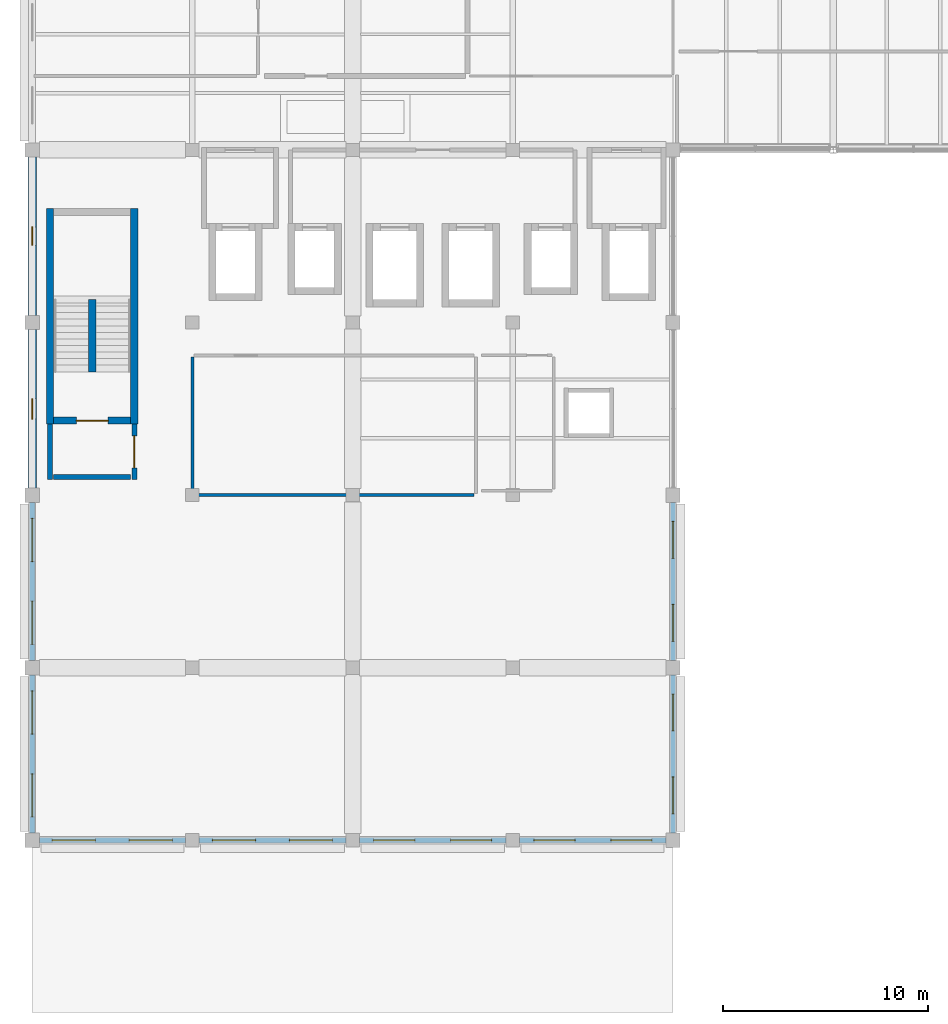
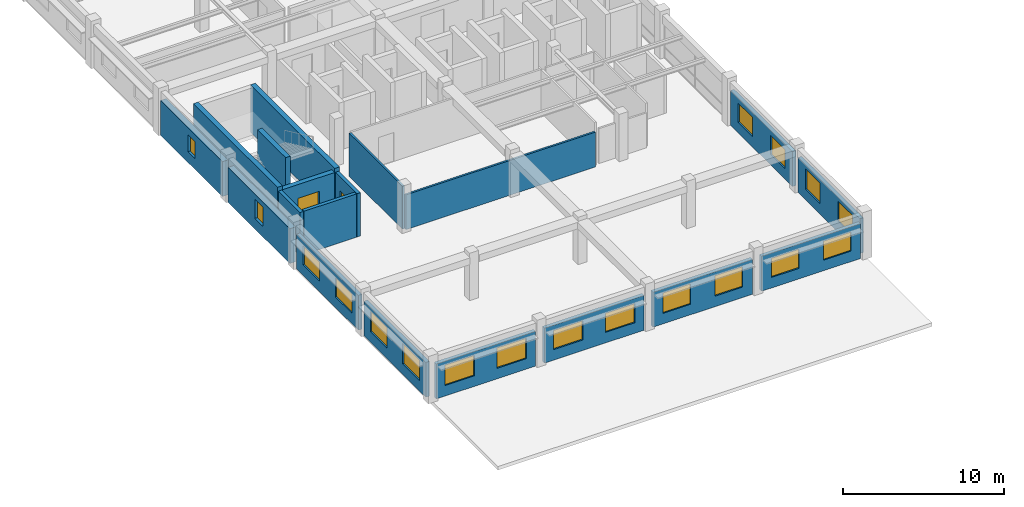
# One storey, part 37 of 49: 19 walls, 18 windows, 2 doors, 20 openings.
"""IFC4 building model written with IfcOpenShell, lengths in metres."""

from ifc_helpers import new_model, si_unit, direction, frame, frame_2d, origin, place, context, subcontext, project, spatial, rectangle, extrude, material, layer, layer_set, type_object, element, fill, save


model = new_model("IFC4")

# Units and contexts
model_context = context("Model", 3, precision=1e-05, world=origin(), true_north=direction((0.0, 1.0)))
body_context = subcontext(model_context, "Body", "Model", "MODEL_VIEW")
ifc_project = project(units=[si_unit("LENGTHUNIT", "METRE"), si_unit("AREAUNIT", "SQUARE_METRE"), si_unit("VOLUMEUNIT", "CUBIC_METRE"), si_unit("PLANEANGLEUNIT", "RADIAN"), si_unit("MASSUNIT", "GRAM", prefix="KILO"), si_unit("THERMODYNAMICTEMPERATUREUNIT", "KELVIN"), si_unit("POWERUNIT", "WATT")], contexts=[model_context])

# Site, building, storey
site_placement = place(None, origin())
site = spatial("IfcSite", under=ifc_project, at=site_placement, CompositionType="ELEMENT")
building_placement = place(site_placement, origin())
building = spatial("IfcBuilding", under=site, at=building_placement, Name="Srebrne Nadtorze General Hospital", CompositionType="ELEMENT")
storey_placement = place(building_placement, frame((0.0, 0.0, 26.10009765625)))
storey = spatial("IfcBuildingStorey", under=building, at=storey_placement, Name="L06", CompositionType="ELEMENT", Elevation=26.10009765625)

# Wall, opening, window
ifc_material_1 = material(Name="Concrete C40/50", Category="concrete")
ifc_layer_1 = layer(ifc_material_1, 0.419921875)
ifc_layer_set_1 = layer_set([ifc_layer_1], Name="Concrete C40/50")
wall_type_1 = type_object("IfcWallType", Name="Acoustic buffer wall 420", PredefinedType="SOLIDWALL", material=ifc_layer_set_1)
wall_1_placement = place(storey_placement, frame((23.39990234375, 33.949951171875, 0.0), z_axis=(0.0, 0.0, 1.0), x_axis=(0.0, 1.0, 0.0)))
wall_1 = element("IfcWall", 1, at=wall_1_placement, inside=storey, type_object=wall_type_1, Name="Exterior wall WL-ENV-L06-0482", PredefinedType="SOLIDWALL", context=body_context, shape_type="SweptSolid", body=[
    extrude(rectangle(XDim=7.699951171875, YDim=0.419921875, at=frame_2d((3.85009765625, 0.0))), origin(), (0.0, 0.0, 1.0), 2.64990234375),
])
opening_1_placement = place(wall_1_placement, frame((3.35009765625, 0.0, 0.800048828125)))
opening_1 = element("IfcOpeningElement", 2, at=opening_1_placement, cuts=wall_1, Name="Opening WN-L06-0799", PredefinedType="OPENING", context=body_context, shape_type="SweptSolid", body=[
    extrude(rectangle(XDim=1.0, YDim=1.449951171875, at=frame_2d((0.5, 0.72509765625))), frame((0.0, 0.221923828125, 0.0), z_axis=(0.0, -1.0, 0.0), x_axis=(1.0, 0.0, 0.0)), (0.0, 0.0, 1.0), 0.44384765625),
])
ifc_material_2 = material(Name="Triple Low-E Glazing", Category="glass")
window_type_1 = type_object("IfcWindowType", Name="Punched clinical window 1000x1450", PartitioningType="SINGLE_PANEL", PredefinedType="WINDOW", material=ifc_material_2)
window_1_placement = place(opening_1_placement, origin())
window_1 = element("IfcWindow", 3, at=window_1_placement, inside=storey, type_object=window_type_1, Name="Clinical window WN-L06-0799", OverallHeight=1.449951171875, OverallWidth=1.0, PartitioningType="SINGLE_PANEL", PredefinedType="WINDOW", context=body_context, shape_type="SweptSolid", body=[
    extrude(rectangle(XDim=1.0, YDim=1.449951171875, at=frame_2d((0.5, 0.72509765625))), frame((0.0, 0.030029296875, 0.0), z_axis=(0.0, -1.0, 0.0), x_axis=(1.0, 0.0, 0.0)), (0.0, 0.0, 1.0), 0.06005859375),
])
fill(opening_1, window_1)

wall_2_placement = place(storey_placement, frame((23.39990234375, 42.35009765625, 0.0), z_axis=(0.0, 0.0, 1.0), x_axis=(0.0, 1.0, 0.0)))
wall_2 = element("IfcWall", 4, at=wall_2_placement, inside=storey, type_object=wall_type_1, Name="Exterior wall WL-ENV-L06-0483", PredefinedType="SOLIDWALL", context=body_context, shape_type="SweptSolid", body=[
    extrude(rectangle(XDim=7.699951171875, YDim=0.419921875, at=frame_2d((3.85009765625, 0.0))), origin(), (0.0, 0.0, 1.0), 2.64990234375),
])
opening_2_placement = place(wall_2_placement, frame((3.39990234375, 0.0, 0.800048828125)))
opening_2 = element("IfcOpeningElement", 5, at=opening_2_placement, cuts=wall_2, Name="Opening WN-L06-0800", PredefinedType="OPENING", context=body_context, shape_type="SweptSolid", body=[
    extrude(rectangle(XDim=0.89990234375, YDim=1.300048828125, at=frame_2d((0.449951171875, 0.64990234375))), frame((0.0, 0.221923828125, 0.0), z_axis=(0.0, -1.0, 0.0), x_axis=(1.0, 0.0, 0.0)), (0.0, 0.0, 1.0), 0.44384765625),
])
ifc_material_3 = material(Name="Triple Low-E Glazing", Category="glass")
window_type_2 = type_object("IfcWindowType", Name="Punched clinical window 900x1300", PartitioningType="SINGLE_PANEL", PredefinedType="WINDOW", material=ifc_material_3)
window_2_placement = place(opening_2_placement, origin())
window_2 = element("IfcWindow", 6, at=window_2_placement, inside=storey, type_object=window_type_2, Name="Clinical window WN-L06-0800", OverallHeight=1.300048828125, OverallWidth=0.89990234375, PartitioningType="SINGLE_PANEL", PredefinedType="WINDOW", context=body_context, shape_type="SweptSolid", body=[
    extrude(rectangle(XDim=0.89990234375, YDim=1.300048828125, at=frame_2d((0.449951171875, 0.64990234375))), frame((0.0, 0.030029296875, 0.0), z_axis=(0.0, -1.0, 0.0), x_axis=(1.0, 0.0, 0.0)), (0.0, 0.0, 1.0), 0.06005859375),
])
fill(opening_2, window_2)

# Walls
ifc_material_4 = material(Name="Gypsum Healthcare Partition")
ifc_layer_2 = layer(ifc_material_4, 0.139892578125)
ifc_layer_set_2 = layer_set([ifc_layer_2], Name="Gypsum Healthcare Partition")
wall_type_2 = type_object("IfcWallType", Name="Clinical partition 140", PredefinedType="PARTITIONING", material=ifc_layer_set_2)
wall_3_placement = place(storey_placement, frame((31.284912109375, 33.60009765625, 0.0), z_axis=(0.0, 0.0, 1.0), x_axis=(1.0, 0.0, 0.0)))
element("IfcWall", 7, at=wall_3_placement, inside=storey, type_object=wall_type_2, Name="Multidisciplinary Clinical Conference Room wall WL-INT-L06-2196", PredefinedType="PARTITIONING", context=body_context, shape_type="SweptSolid", body=[
    extrude(rectangle(XDim=13.630126953125, YDim=0.139892578125, at=frame_2d((6.81494140625, 0.0))), origin(), (0.0, 0.0, 1.0), 2.64990234375),
])
wall_4_placement = place(storey_placement, frame((31.199951171875, 33.68505859375, 0.0), z_axis=(0.0, 0.0, 1.0), x_axis=(0.0, 1.0, 0.0)))
element("IfcWall", 8, at=wall_4_placement, inside=storey, type_object=wall_type_2, Name="Multidisciplinary Clinical Conference Room wall WL-INT-L06-2197", PredefinedType="PARTITIONING", context=body_context, shape_type="SweptSolid", body=[
    extrude(rectangle(XDim=6.6298828125, YDim=0.139892578125, at=frame_2d((3.31494140625, 0.0))), origin(), (0.0, 0.0, 1.0), 3.27978515625),
])
ifc_material_5 = material(Name="Gypsum Healthcare Partition")
ifc_layer_3 = layer(ifc_material_5, 0.239990234375)
ifc_layer_set_3 = layer_set([ifc_layer_3], Name="Gypsum Healthcare Partition")
wall_type_3 = type_object("IfcWallType", Name="Corridor fire wall 240", PredefinedType="STANDARD", material=ifc_layer_set_3)
wall_5_placement = place(storey_placement, frame((24.27490234375, 34.35498046875, 0.0), z_axis=(0.0, 0.0, 1.0), x_axis=(0.0, 1.0, 0.0)))
element("IfcWall", 9, at=wall_5_placement, inside=storey, type_object=wall_type_3, Name="Fire lobby wall ST-01 WL-INT-L06-0381", PredefinedType="STANDARD", context=body_context, shape_type="SweptSolid", body=[
    extrude(rectangle(XDim=2.695068359375, YDim=0.239990234375, at=frame_2d((1.34765625, 0.0))), origin(), (0.0, 0.0, 1.0), 3.2998046875),
])

# Wall, opening, door
wall_6_placement = place(storey_placement, frame((28.375, 34.35498046875, 0.0), z_axis=(0.0, 0.0, 1.0), x_axis=(0.0, 1.0, 0.0)))
wall_6 = element("IfcWall", 10, at=wall_6_placement, inside=storey, type_object=wall_type_3, Name="Fire lobby wall ST-01 WL-INT-L06-0382", PredefinedType="STANDARD", context=body_context, shape_type="SweptSolid", body=[
    extrude(rectangle(XDim=2.695068359375, YDim=0.239990234375, at=frame_2d((1.34765625, 0.0))), origin(), (0.0, 0.0, 1.0), 3.2998046875),
])
opening_3_placement = place(wall_6_placement, frame((0.572509765625, 0.0, 0.0)))
opening_3 = element("IfcOpeningElement", 11, at=opening_3_placement, cuts=wall_6, Name="Opening D-L06-0096", PredefinedType="OPENING", context=body_context, shape_type="SweptSolid", body=[
    extrude(rectangle(XDim=1.550048828125, YDim=2.25, at=frame_2d((0.77490234375, 1.125))), frame((0.0, 0.1318359375, 0.0), z_axis=(0.0, -1.0, 0.0), x_axis=(1.0, 0.0, 0.0)), (0.0, 0.0, 1.0), 0.263916015625),
])
ifc_material_6 = material(Name="Anodised Aluminium", Category="aluminium")
door_type = type_object("IfcDoorType", Name="Double leaf door 1550x2250", OperationType="DOUBLE_DOOR_SINGLE_SWING", PredefinedType="DOOR", material=ifc_material_6)
door_1_placement = place(opening_3_placement, origin())
door_1 = element("IfcDoor", 12, at=door_1_placement, inside=storey, type_object=door_type, Name="Fire lobby door ST-01 D-L06-0096", OperationType="DOUBLE_DOOR_SINGLE_SWING", OverallHeight=2.25, OverallWidth=1.550048828125, PredefinedType="DOOR", context=body_context, shape_type="SweptSolid", body=[
    extrude(rectangle(XDim=1.550048828125, YDim=2.25, at=frame_2d((0.77490234375, 1.125))), frame((0.0, 0.02490234375, 0.0), z_axis=(0.0, -1.0, 0.0), x_axis=(1.0, 0.0, 0.0)), (0.0, 0.0, 1.0), 0.050048828125),
])
fill(opening_3, door_1)

# Walls
wall_7_placement = place(storey_placement, frame((24.449951171875, 34.47509765625, 0.0), z_axis=(0.0, 0.0, 1.0), x_axis=(1.0, 0.0, 0.0)))
element("IfcWall", 13, at=wall_7_placement, inside=storey, type_object=wall_type_3, Name="Fire lobby entry wall ST-01 WL-INT-L06-0383", PredefinedType="STANDARD", context=body_context, shape_type="SweptSolid", body=[
    extrude(rectangle(XDim=3.75, YDim=0.239990234375, at=frame_2d((1.875, 0.0))), origin(), (0.0, 0.0, 1.0), 3.2998046875),
])
ifc_material_7 = material(Name="Concrete C40/50", Category="concrete")
ifc_layer_4 = layer(ifc_material_7, 0.35009765625)
ifc_layer_set_4 = layer_set([ifc_layer_4], Name="Concrete C40/50")
wall_type_4 = type_object("IfcWallType", Name="Shear core wall 350", PredefinedType="SHEAR", material=ifc_layer_set_4)
for number, where, z_axis, x_axis, name in (
    (14, (24.27490234375, 37.050048828125, 0.0), (0.0, 0.0, 1.0), (0.0, 1.0, 0.0), "Stair core wall ST-01 WL-INT-L06-0377"),
    (15, (28.375, 37.050048828125, 0.0), (0.0, 0.0, 1.0), (0.0, 1.0, 0.0), "Stair core wall ST-01 WL-INT-L06-0378"),
):
    element("IfcWall", number, at=place(storey_placement, frame(where, z_axis=z_axis, x_axis=x_axis)), inside=storey, type_object=wall_type_4, Name=name, PredefinedType="SHEAR", context=body_context, shape_type="SweptSolid", body=[
        extrude(rectangle(XDim=10.5, YDim=0.35009765625, at=frame_2d((5.25, 0.0))), origin(), (0.0, 0.0, 1.0), 3.599853515625),
    ])

# Wall, opening, door
wall_8_placement = place(storey_placement, frame((24.449951171875, 37.22509765625, 0.0), z_axis=(0.0, 0.0, 1.0), x_axis=(1.0, 0.0, 0.0)))
wall_8 = element("IfcWall", 16, at=wall_8_placement, inside=storey, type_object=wall_type_4, Name="Stairwell fire wall ST-01 WL-INT-L06-0380", PredefinedType="SHEAR", context=body_context, shape_type="SweptSolid", body=[
    extrude(rectangle(XDim=3.75, YDim=0.35009765625, at=frame_2d((1.875, 0.0))), origin(), (0.0, 0.0, 1.0), 3.2998046875),
])
opening_4_placement = place(wall_8_placement, frame((1.10009765625, 0.0, 0.0)))
opening_4 = element("IfcOpeningElement", 17, at=opening_4_placement, cuts=wall_8, Name="Opening D-L06-0095", PredefinedType="OPENING", context=body_context, shape_type="SweptSolid", body=[
    extrude(rectangle(XDim=1.550048828125, YDim=2.25, at=frame_2d((0.77490234375, 1.125))), frame((0.0, 0.18701171875, 0.0), z_axis=(0.0, -1.0, 0.0), x_axis=(1.0, 0.0, 0.0)), (0.0, 0.0, 1.0), 0.3740234375),
])
door_2_placement = place(opening_4_placement, origin())
door_2 = element("IfcDoor", 18, at=door_2_placement, inside=storey, type_object=door_type, Name="Protected stair door ST-01 D-L06-0095", OperationType="DOUBLE_DOOR_SINGLE_SWING", OverallHeight=2.25, OverallWidth=1.550048828125, PredefinedType="DOOR", context=body_context, shape_type="SweptSolid", body=[
    extrude(rectangle(XDim=1.550048828125, YDim=2.25, at=frame_2d((0.77490234375, 1.125))), frame((0.0, 0.02490234375, 0.0), z_axis=(0.0, -1.0, 0.0), x_axis=(1.0, 0.0, 0.0)), (0.0, 0.0, 1.0), 0.050048828125),
])
fill(opening_4, door_2)

# Wall
wall_9_placement = place(storey_placement, frame((26.324951171875, 39.60009765625, 0.0), z_axis=(0.0, 0.0, 1.0), x_axis=(0.0, 1.0, 0.0)))
element("IfcWall", 19, at=wall_9_placement, inside=storey, type_object=wall_type_4, Name="Stair spine wall ST-01 WL-INT-L06-0384", PredefinedType="SHEAR", context=body_context, shape_type="SweptSolid", body=[
    extrude(rectangle(XDim=3.52001953125, YDim=0.35009765625, at=frame_2d((1.760009765625, 0.0))), origin(), (0.0, 0.0, 1.0), 3.599853515625),
])

# Wall, openings, windows
ifc_material_8 = material(Name="Concrete C35/45 precast", Category="concrete")
ifc_layer_5 = layer(ifc_material_8, 0.260009765625)
ifc_layer_set_5 = layer_set([ifc_layer_5], Name="Concrete C35/45 precast")
wall_type_5 = type_object("IfcWallType", Name="Spandrel wall 260", PredefinedType="STANDARD", material=ifc_layer_set_5)
wall_10_placement = place(storey_placement, frame((23.75, 16.800048828125, 0.0), z_axis=(0.0, 0.0, 1.0), x_axis=(1.0, 0.0, 0.0)))
wall_10 = element("IfcWall", 20, at=wall_10_placement, inside=storey, type_object=wall_type_5, Name="Exterior wall WL-ENV-L06-0460", PredefinedType="STANDARD", context=body_context, shape_type="SweptSolid", body=[
    extrude(rectangle(XDim=7.125, YDim=0.260009765625, at=frame_2d((3.5625, 0.0))), origin(), (0.0, 0.0, 1.0), 2.64990234375),
])
opening_5_placement = place(wall_10_placement, frame((0.6279296875, 0.0, 0.800048828125)))
opening_5 = element("IfcOpeningElement", 21, at=opening_5_placement, cuts=wall_10, Name="Opening WN-L06-0753", PredefinedType="OPENING", context=body_context, shape_type="SweptSolid", body=[
    extrude(rectangle(XDim=2.10009765625, YDim=1.550048828125, at=frame_2d((1.050048828125, 0.77490234375))), frame((0.0, 0.14208984375, 0.0), z_axis=(0.0, -1.0, 0.0), x_axis=(1.0, 0.0, 0.0)), (0.0, 0.0, 1.0), 0.283935546875),
])
opening_6_placement = place(wall_10_placement, frame((4.3720703125, 0.0, 0.800048828125)))
opening_6 = element("IfcOpeningElement", 22, at=opening_6_placement, cuts=wall_10, Name="Opening WN-L06-0754", PredefinedType="OPENING", context=body_context, shape_type="SweptSolid", body=[
    extrude(rectangle(XDim=2.10009765625, YDim=1.550048828125, at=frame_2d((1.050048828125, 0.77490234375))), frame((0.0, 0.14208984375, 0.0), z_axis=(0.0, -1.0, 0.0), x_axis=(1.0, 0.0, 0.0)), (0.0, 0.0, 1.0), 0.283935546875),
])
ifc_material_9 = material(Name="Triple Low-E Glazing", Category="glass")
window_type_3 = type_object("IfcWindowType", Name="Punched clinical window 2100x1550", PartitioningType="DOUBLE_PANEL_VERTICAL", PredefinedType="WINDOW", material=ifc_material_9)
window_3_placement = place(opening_5_placement, origin())
window_3 = element("IfcWindow", 23, at=window_3_placement, inside=storey, type_object=window_type_3, Name="Clinical window WN-L06-0753", OverallHeight=1.550048828125, OverallWidth=2.10009765625, PartitioningType="DOUBLE_PANEL_VERTICAL", PredefinedType="WINDOW", context=body_context, shape_type="SweptSolid", body=[
    extrude(rectangle(XDim=2.10009765625, YDim=1.550048828125, at=frame_2d((1.050048828125, 0.77490234375))), frame((0.0, 0.030029296875, 0.0), z_axis=(0.0, -1.0, 0.0), x_axis=(1.0, 0.0, 0.0)), (0.0, 0.0, 1.0), 0.06005859375),
])
fill(opening_5, window_3)
window_4_placement = place(opening_6_placement, origin())
window_4 = element("IfcWindow", 24, at=window_4_placement, inside=storey, type_object=window_type_3, Name="Clinical window WN-L06-0754", OverallHeight=1.550048828125, OverallWidth=2.10009765625, PartitioningType="DOUBLE_PANEL_VERTICAL", PredefinedType="WINDOW", context=body_context, shape_type="SweptSolid", body=[
    extrude(rectangle(XDim=2.10009765625, YDim=1.550048828125, at=frame_2d((1.050048828125, 0.77490234375))), frame((0.0, 0.030029296875, 0.0), z_axis=(0.0, -1.0, 0.0), x_axis=(1.0, 0.0, 0.0)), (0.0, 0.0, 1.0), 0.06005859375),
])
fill(opening_6, window_4)

wall_11_placement = place(storey_placement, frame((31.52490234375, 16.800048828125, 0.0), z_axis=(0.0, 0.0, 1.0), x_axis=(1.0, 0.0, 0.0)))
wall_11 = element("IfcWall", 25, at=wall_11_placement, inside=storey, type_object=wall_type_5, Name="Exterior wall WL-ENV-L06-0461", PredefinedType="STANDARD", context=body_context, shape_type="SweptSolid", body=[
    extrude(rectangle(XDim=7.150146484375, YDim=0.260009765625, at=frame_2d((3.5751953125, 0.0))), origin(), (0.0, 0.0, 1.0), 2.64990234375),
])
opening_7_placement = place(wall_11_placement, frame((0.653076171875, 0.0, 0.800048828125)))
opening_7 = element("IfcOpeningElement", 26, at=opening_7_placement, cuts=wall_11, Name="Opening WN-L06-0755", PredefinedType="OPENING", context=body_context, shape_type="SweptSolid", body=[
    extrude(rectangle(XDim=2.10009765625, YDim=1.449951171875, at=frame_2d((1.050048828125, 0.72509765625))), frame((0.0, 0.14208984375, 0.0), z_axis=(0.0, -1.0, 0.0), x_axis=(1.0, 0.0, 0.0)), (0.0, 0.0, 1.0), 0.283935546875),
])
opening_8_placement = place(wall_11_placement, frame((4.39697265625, 0.0, 0.800048828125)))
opening_8 = element("IfcOpeningElement", 27, at=opening_8_placement, cuts=wall_11, Name="Opening WN-L06-0756", PredefinedType="OPENING", context=body_context, shape_type="SweptSolid", body=[
    extrude(rectangle(XDim=2.10009765625, YDim=1.449951171875, at=frame_2d((1.050048828125, 0.72509765625))), frame((0.0, 0.14208984375, 0.0), z_axis=(0.0, -1.0, 0.0), x_axis=(1.0, 0.0, 0.0)), (0.0, 0.0, 1.0), 0.283935546875),
])
ifc_material_10 = material(Name="Triple Low-E Glazing", Category="glass")
window_type_4 = type_object("IfcWindowType", Name="Punched clinical window 2100x1450", PartitioningType="DOUBLE_PANEL_VERTICAL", PredefinedType="WINDOW", material=ifc_material_10)
window_5_placement = place(opening_7_placement, origin())
window_5 = element("IfcWindow", 28, at=window_5_placement, inside=storey, type_object=window_type_4, Name="Clinical window WN-L06-0755", OverallHeight=1.449951171875, OverallWidth=2.10009765625, PartitioningType="DOUBLE_PANEL_VERTICAL", PredefinedType="WINDOW", context=body_context, shape_type="SweptSolid", body=[
    extrude(rectangle(XDim=2.10009765625, YDim=1.449951171875, at=frame_2d((1.050048828125, 0.72509765625))), frame((0.0, 0.030029296875, 0.0), z_axis=(0.0, -1.0, 0.0), x_axis=(1.0, 0.0, 0.0)), (0.0, 0.0, 1.0), 0.06005859375),
])
fill(opening_7, window_5)
window_6_placement = place(opening_8_placement, origin())
window_6 = element("IfcWindow", 29, at=window_6_placement, inside=storey, type_object=window_type_4, Name="Clinical window WN-L06-0756", OverallHeight=1.449951171875, OverallWidth=2.10009765625, PartitioningType="DOUBLE_PANEL_VERTICAL", PredefinedType="WINDOW", context=body_context, shape_type="SweptSolid", body=[
    extrude(rectangle(XDim=2.10009765625, YDim=1.449951171875, at=frame_2d((1.050048828125, 0.72509765625))), frame((0.0, 0.030029296875, 0.0), z_axis=(0.0, -1.0, 0.0), x_axis=(1.0, 0.0, 0.0)), (0.0, 0.0, 1.0), 0.06005859375),
])
fill(opening_8, window_6)

wall_12_placement = place(storey_placement, frame((39.324951171875, 16.800048828125, 0.0), z_axis=(0.0, 0.0, 1.0), x_axis=(1.0, 0.0, 0.0)))
wall_12 = element("IfcWall", 30, at=wall_12_placement, inside=storey, type_object=wall_type_5, Name="Exterior wall WL-ENV-L06-0462", PredefinedType="STANDARD", context=body_context, shape_type="SweptSolid", body=[
    extrude(rectangle(XDim=7.150146484375, YDim=0.260009765625, at=frame_2d((3.5751953125, 0.0))), origin(), (0.0, 0.0, 1.0), 2.64990234375),
])
opening_9_placement = place(wall_12_placement, frame((0.702880859375, 0.0, 0.800048828125)))
opening_9 = element("IfcOpeningElement", 31, at=opening_9_placement, cuts=wall_12, Name="Opening WN-L06-0757", PredefinedType="OPENING", context=body_context, shape_type="SweptSolid", body=[
    extrude(rectangle(XDim=2.0, YDim=1.550048828125, at=frame_2d((1.0, 0.77490234375))), frame((0.0, 0.14208984375, 0.0), z_axis=(0.0, -1.0, 0.0), x_axis=(1.0, 0.0, 0.0)), (0.0, 0.0, 1.0), 0.283935546875),
])
opening_10_placement = place(wall_12_placement, frame((4.447021484375, 0.0, 0.800048828125)))
opening_10 = element("IfcOpeningElement", 32, at=opening_10_placement, cuts=wall_12, Name="Opening WN-L06-0758", PredefinedType="OPENING", context=body_context, shape_type="SweptSolid", body=[
    extrude(rectangle(XDim=2.0, YDim=1.550048828125, at=frame_2d((1.0, 0.77490234375))), frame((0.0, 0.14208984375, 0.0), z_axis=(0.0, -1.0, 0.0), x_axis=(1.0, 0.0, 0.0)), (0.0, 0.0, 1.0), 0.283935546875),
])
ifc_material_11 = material(Name="Triple Low-E Glazing", Category="glass")
window_type_5 = type_object("IfcWindowType", Name="Punched clinical window 2000x1550", PartitioningType="DOUBLE_PANEL_VERTICAL", PredefinedType="WINDOW", material=ifc_material_11)
window_7_placement = place(opening_9_placement, origin())
window_7 = element("IfcWindow", 33, at=window_7_placement, inside=storey, type_object=window_type_5, Name="Clinical window WN-L06-0757", OverallHeight=1.550048828125, OverallWidth=2.0, PartitioningType="DOUBLE_PANEL_VERTICAL", PredefinedType="WINDOW", context=body_context, shape_type="SweptSolid", body=[
    extrude(rectangle(XDim=2.0, YDim=1.550048828125, at=frame_2d((1.0, 0.77490234375))), frame((0.0, 0.030029296875, 0.0), z_axis=(0.0, -1.0, 0.0), x_axis=(1.0, 0.0, 0.0)), (0.0, 0.0, 1.0), 0.06005859375),
])
fill(opening_9, window_7)
window_8_placement = place(opening_10_placement, origin())
window_8 = element("IfcWindow", 34, at=window_8_placement, inside=storey, type_object=window_type_5, Name="Clinical window WN-L06-0758", OverallHeight=1.550048828125, OverallWidth=2.0, PartitioningType="DOUBLE_PANEL_VERTICAL", PredefinedType="WINDOW", context=body_context, shape_type="SweptSolid", body=[
    extrude(rectangle(XDim=2.0, YDim=1.550048828125, at=frame_2d((1.0, 0.77490234375))), frame((0.0, 0.030029296875, 0.0), z_axis=(0.0, -1.0, 0.0), x_axis=(1.0, 0.0, 0.0)), (0.0, 0.0, 1.0), 0.06005859375),
])
fill(opening_10, window_8)

wall_13_placement = place(storey_placement, frame((47.125, 16.800048828125, 0.0), z_axis=(0.0, 0.0, 1.0), x_axis=(1.0, 0.0, 0.0)))
wall_13 = element("IfcWall", 35, at=wall_13_placement, inside=storey, type_object=wall_type_5, Name="Exterior wall WL-ENV-L06-0463", PredefinedType="STANDARD", context=body_context, shape_type="SweptSolid", body=[
    extrude(rectangle(XDim=7.125, YDim=0.260009765625, at=frame_2d((3.5625, 0.0))), origin(), (0.0, 0.0, 1.0), 2.64990234375),
])
opening_11_placement = place(wall_13_placement, frame((0.702880859375, 0.0, 0.800048828125)))
opening_11 = element("IfcOpeningElement", 36, at=opening_11_placement, cuts=wall_13, Name="Opening WN-L06-0759", PredefinedType="OPENING", context=body_context, shape_type="SweptSolid", body=[
    extrude(rectangle(XDim=2.0, YDim=1.449951171875, at=frame_2d((1.0, 0.72509765625))), frame((0.0, 0.14208984375, 0.0), z_axis=(0.0, -1.0, 0.0), x_axis=(1.0, 0.0, 0.0)), (0.0, 0.0, 1.0), 0.283935546875),
])
opening_12_placement = place(wall_13_placement, frame((4.447021484375, 0.0, 0.800048828125)))
opening_12 = element("IfcOpeningElement", 37, at=opening_12_placement, cuts=wall_13, Name="Opening WN-L06-0760", PredefinedType="OPENING", context=body_context, shape_type="SweptSolid", body=[
    extrude(rectangle(XDim=2.0, YDim=1.449951171875, at=frame_2d((1.0, 0.72509765625))), frame((0.0, 0.14208984375, 0.0), z_axis=(0.0, -1.0, 0.0), x_axis=(1.0, 0.0, 0.0)), (0.0, 0.0, 1.0), 0.283935546875),
])
ifc_material_12 = material(Name="Triple Low-E Glazing", Category="glass")
window_type_6 = type_object("IfcWindowType", Name="Punched clinical window 2000x1450", PartitioningType="DOUBLE_PANEL_VERTICAL", PredefinedType="WINDOW", material=ifc_material_12)
window_9_placement = place(opening_11_placement, origin())
window_9 = element("IfcWindow", 38, at=window_9_placement, inside=storey, type_object=window_type_6, Name="Clinical window WN-L06-0759", OverallHeight=1.449951171875, OverallWidth=2.0, PartitioningType="DOUBLE_PANEL_VERTICAL", PredefinedType="WINDOW", context=body_context, shape_type="SweptSolid", body=[
    extrude(rectangle(XDim=2.0, YDim=1.449951171875, at=frame_2d((1.0, 0.72509765625))), frame((0.0, 0.030029296875, 0.0), z_axis=(0.0, -1.0, 0.0), x_axis=(1.0, 0.0, 0.0)), (0.0, 0.0, 1.0), 0.06005859375),
])
fill(opening_11, window_9)
window_10_placement = place(opening_12_placement, origin())
window_10 = element("IfcWindow", 39, at=window_10_placement, inside=storey, type_object=window_type_6, Name="Clinical window WN-L06-0760", OverallHeight=1.449951171875, OverallWidth=2.0, PartitioningType="DOUBLE_PANEL_VERTICAL", PredefinedType="WINDOW", context=body_context, shape_type="SweptSolid", body=[
    extrude(rectangle(XDim=2.0, YDim=1.449951171875, at=frame_2d((1.0, 0.72509765625))), frame((0.0, 0.030029296875, 0.0), z_axis=(0.0, -1.0, 0.0), x_axis=(1.0, 0.0, 0.0)), (0.0, 0.0, 1.0), 0.06005859375),
])
fill(opening_12, window_10)

wall_14_placement = place(storey_placement, frame((23.39990234375, 17.14990234375, 0.0), z_axis=(0.0, 0.0, 1.0), x_axis=(0.0, 1.0, 0.0)))
wall_14 = element("IfcWall", 40, at=wall_14_placement, inside=storey, type_object=wall_type_5, Name="Exterior wall WL-ENV-L06-0480", PredefinedType="STANDARD", context=body_context, shape_type="SweptSolid", body=[
    extrude(rectangle(XDim=7.7001953125, YDim=0.260009765625, at=frame_2d((3.85009765625, 0.0))), origin(), (0.0, 0.0, 1.0), 2.64990234375),
])
opening_13_placement = place(wall_14_placement, frame((0.783935546875, 0.0, 0.800048828125)))
opening_13 = element("IfcOpeningElement", 41, at=opening_13_placement, cuts=wall_14, Name="Opening WN-L06-0795", PredefinedType="OPENING", context=body_context, shape_type="SweptSolid", body=[
    extrude(rectangle(XDim=2.10009765625, YDim=1.550048828125, at=frame_2d((1.050048828125, 0.77490234375))), frame((0.0, 0.14208984375, 0.0), z_axis=(0.0, -1.0, 0.0), x_axis=(1.0, 0.0, 0.0)), (0.0, 0.0, 1.0), 0.283935546875),
])
opening_14_placement = place(wall_14_placement, frame((4.81591796875, 0.0, 0.800048828125)))
opening_14 = element("IfcOpeningElement", 42, at=opening_14_placement, cuts=wall_14, Name="Opening WN-L06-0796", PredefinedType="OPENING", context=body_context, shape_type="SweptSolid", body=[
    extrude(rectangle(XDim=2.10009765625, YDim=1.550048828125, at=frame_2d((1.050048828125, 0.77490234375))), frame((0.0, 0.14208984375, 0.0), z_axis=(0.0, -1.0, 0.0), x_axis=(1.0, 0.0, 0.0)), (0.0, 0.0, 1.0), 0.283935546875),
])
window_11_placement = place(opening_13_placement, origin())
window_11 = element("IfcWindow", 43, at=window_11_placement, inside=storey, type_object=window_type_3, Name="Clinical window WN-L06-0795", OverallHeight=1.550048828125, OverallWidth=2.10009765625, PartitioningType="DOUBLE_PANEL_VERTICAL", PredefinedType="WINDOW", context=body_context, shape_type="SweptSolid", body=[
    extrude(rectangle(XDim=2.10009765625, YDim=1.550048828125, at=frame_2d((1.050048828125, 0.77490234375))), frame((0.0, 0.030029296875, 0.0), z_axis=(0.0, -1.0, 0.0), x_axis=(1.0, 0.0, 0.0)), (0.0, 0.0, 1.0), 0.06005859375),
])
fill(opening_13, window_11)
window_12_placement = place(opening_14_placement, origin())
window_12 = element("IfcWindow", 44, at=window_12_placement, inside=storey, type_object=window_type_3, Name="Clinical window WN-L06-0796", OverallHeight=1.550048828125, OverallWidth=2.10009765625, PartitioningType="DOUBLE_PANEL_VERTICAL", PredefinedType="WINDOW", context=body_context, shape_type="SweptSolid", body=[
    extrude(rectangle(XDim=2.10009765625, YDim=1.550048828125, at=frame_2d((1.050048828125, 0.77490234375))), frame((0.0, 0.030029296875, 0.0), z_axis=(0.0, -1.0, 0.0), x_axis=(1.0, 0.0, 0.0)), (0.0, 0.0, 1.0), 0.06005859375),
])
fill(opening_14, window_12)

wall_15_placement = place(storey_placement, frame((23.39990234375, 25.550048828125, 0.0), z_axis=(0.0, 0.0, 1.0), x_axis=(0.0, 1.0, 0.0)))
wall_15 = element("IfcWall", 45, at=wall_15_placement, inside=storey, type_object=wall_type_5, Name="Exterior wall WL-ENV-L06-0481", PredefinedType="STANDARD", context=body_context, shape_type="SweptSolid", body=[
    extrude(rectangle(XDim=7.699951171875, YDim=0.260009765625, at=frame_2d((3.85009765625, 0.0))), origin(), (0.0, 0.0, 1.0), 2.64990234375),
])
opening_15_placement = place(wall_15_placement, frame((0.783935546875, 0.0, 0.800048828125)))
opening_15 = element("IfcOpeningElement", 46, at=opening_15_placement, cuts=wall_15, Name="Opening WN-L06-0797", PredefinedType="OPENING", context=body_context, shape_type="SweptSolid", body=[
    extrude(rectangle(XDim=2.10009765625, YDim=1.449951171875, at=frame_2d((1.050048828125, 0.72509765625))), frame((0.0, 0.14208984375, 0.0), z_axis=(0.0, -1.0, 0.0), x_axis=(1.0, 0.0, 0.0)), (0.0, 0.0, 1.0), 0.283935546875),
])
opening_16_placement = place(wall_15_placement, frame((4.81591796875, 0.0, 0.800048828125)))
opening_16 = element("IfcOpeningElement", 47, at=opening_16_placement, cuts=wall_15, Name="Opening WN-L06-0798", PredefinedType="OPENING", context=body_context, shape_type="SweptSolid", body=[
    extrude(rectangle(XDim=2.10009765625, YDim=1.449951171875, at=frame_2d((1.050048828125, 0.72509765625))), frame((0.0, 0.14208984375, 0.0), z_axis=(0.0, -1.0, 0.0), x_axis=(1.0, 0.0, 0.0)), (0.0, 0.0, 1.0), 0.283935546875),
])
window_13_placement = place(opening_15_placement, origin())
window_13 = element("IfcWindow", 48, at=window_13_placement, inside=storey, type_object=window_type_4, Name="Clinical window WN-L06-0797", OverallHeight=1.449951171875, OverallWidth=2.10009765625, PartitioningType="DOUBLE_PANEL_VERTICAL", PredefinedType="WINDOW", context=body_context, shape_type="SweptSolid", body=[
    extrude(rectangle(XDim=2.10009765625, YDim=1.449951171875, at=frame_2d((1.050048828125, 0.72509765625))), frame((0.0, 0.030029296875, 0.0), z_axis=(0.0, -1.0, 0.0), x_axis=(1.0, 0.0, 0.0)), (0.0, 0.0, 1.0), 0.06005859375),
])
fill(opening_15, window_13)
window_14_placement = place(opening_16_placement, origin())
window_14 = element("IfcWindow", 49, at=window_14_placement, inside=storey, type_object=window_type_4, Name="Clinical window WN-L06-0798", OverallHeight=1.449951171875, OverallWidth=2.10009765625, PartitioningType="DOUBLE_PANEL_VERTICAL", PredefinedType="WINDOW", context=body_context, shape_type="SweptSolid", body=[
    extrude(rectangle(XDim=2.10009765625, YDim=1.449951171875, at=frame_2d((1.050048828125, 0.72509765625))), frame((0.0, 0.030029296875, 0.0), z_axis=(0.0, -1.0, 0.0), x_axis=(1.0, 0.0, 0.0)), (0.0, 0.0, 1.0), 0.06005859375),
])
fill(opening_16, window_14)

wall_16_placement = place(storey_placement, frame((54.60009765625, 17.14990234375, 0.0), z_axis=(0.0, 0.0, 1.0), x_axis=(0.0, 1.0, 0.0)))
wall_16 = element("IfcWall", 50, at=wall_16_placement, inside=storey, type_object=wall_type_5, Name="Exterior wall WL-ENV-L06-0489", PredefinedType="STANDARD", context=body_context, shape_type="SweptSolid", body=[
    extrude(rectangle(XDim=7.7001953125, YDim=0.260009765625, at=frame_2d((3.85009765625, 0.0))), origin(), (0.0, 0.0, 1.0), 2.64990234375),
])
opening_17_placement = place(wall_16_placement, frame((0.93408203125, 0.0, 0.800048828125)))
opening_17 = element("IfcOpeningElement", 51, at=opening_17_placement, cuts=wall_16, Name="Opening WN-L06-0809", PredefinedType="OPENING", context=body_context, shape_type="SweptSolid", body=[
    extrude(rectangle(XDim=1.800048828125, YDim=1.550048828125, at=frame_2d((0.89990234375, 0.77490234375))), frame((0.0, 0.14208984375, 0.0), z_axis=(0.0, -1.0, 0.0), x_axis=(1.0, 0.0, 0.0)), (0.0, 0.0, 1.0), 0.283935546875),
])
opening_18_placement = place(wall_16_placement, frame((4.966064453125, 0.0, 0.800048828125)))
opening_18 = element("IfcOpeningElement", 52, at=opening_18_placement, cuts=wall_16, Name="Opening WN-L06-0810", PredefinedType="OPENING", context=body_context, shape_type="SweptSolid", body=[
    extrude(rectangle(XDim=1.800048828125, YDim=1.550048828125, at=frame_2d((0.89990234375, 0.77490234375))), frame((0.0, 0.14208984375, 0.0), z_axis=(0.0, -1.0, 0.0), x_axis=(1.0, 0.0, 0.0)), (0.0, 0.0, 1.0), 0.283935546875),
])
ifc_material_13 = material(Name="Triple Low-E Glazing", Category="glass")
window_type_7 = type_object("IfcWindowType", Name="Punched clinical window 1800x1550", PartitioningType="DOUBLE_PANEL_VERTICAL", PredefinedType="WINDOW", material=ifc_material_13)
window_15_placement = place(opening_17_placement, origin())
window_15 = element("IfcWindow", 53, at=window_15_placement, inside=storey, type_object=window_type_7, Name="Clinical window WN-L06-0809", OverallHeight=1.550048828125, OverallWidth=1.800048828125, PartitioningType="DOUBLE_PANEL_VERTICAL", PredefinedType="WINDOW", context=body_context, shape_type="SweptSolid", body=[
    extrude(rectangle(XDim=1.800048828125, YDim=1.550048828125, at=frame_2d((0.89990234375, 0.77490234375))), frame((0.0, 0.030029296875, 0.0), z_axis=(0.0, -1.0, 0.0), x_axis=(1.0, 0.0, 0.0)), (0.0, 0.0, 1.0), 0.06005859375),
])
fill(opening_17, window_15)
window_16_placement = place(opening_18_placement, origin())
window_16 = element("IfcWindow", 54, at=window_16_placement, inside=storey, type_object=window_type_7, Name="Clinical window WN-L06-0810", OverallHeight=1.550048828125, OverallWidth=1.800048828125, PartitioningType="DOUBLE_PANEL_VERTICAL", PredefinedType="WINDOW", context=body_context, shape_type="SweptSolid", body=[
    extrude(rectangle(XDim=1.800048828125, YDim=1.550048828125, at=frame_2d((0.89990234375, 0.77490234375))), frame((0.0, 0.030029296875, 0.0), z_axis=(0.0, -1.0, 0.0), x_axis=(1.0, 0.0, 0.0)), (0.0, 0.0, 1.0), 0.06005859375),
])
fill(opening_18, window_16)

wall_17_placement = place(storey_placement, frame((54.60009765625, 25.550048828125, 0.0), z_axis=(0.0, 0.0, 1.0), x_axis=(0.0, 1.0, 0.0)))
wall_17 = element("IfcWall", 55, at=wall_17_placement, inside=storey, type_object=wall_type_5, Name="Exterior wall WL-ENV-L06-0490", PredefinedType="STANDARD", context=body_context, shape_type="SweptSolid", body=[
    extrude(rectangle(XDim=7.699951171875, YDim=0.260009765625, at=frame_2d((3.85009765625, 0.0))), origin(), (0.0, 0.0, 1.0), 2.64990234375),
])
opening_19_placement = place(wall_17_placement, frame((0.93408203125, 0.0, 0.800048828125)))
opening_19 = element("IfcOpeningElement", 56, at=opening_19_placement, cuts=wall_17, Name="Opening WN-L06-0811", PredefinedType="OPENING", context=body_context, shape_type="SweptSolid", body=[
    extrude(rectangle(XDim=1.800048828125, YDim=1.449951171875, at=frame_2d((0.89990234375, 0.72509765625))), frame((0.0, 0.14208984375, 0.0), z_axis=(0.0, -1.0, 0.0), x_axis=(1.0, 0.0, 0.0)), (0.0, 0.0, 1.0), 0.283935546875),
])
opening_20_placement = place(wall_17_placement, frame((4.966064453125, 0.0, 0.800048828125)))
opening_20 = element("IfcOpeningElement", 57, at=opening_20_placement, cuts=wall_17, Name="Opening WN-L06-0812", PredefinedType="OPENING", context=body_context, shape_type="SweptSolid", body=[
    extrude(rectangle(XDim=1.800048828125, YDim=1.449951171875, at=frame_2d((0.89990234375, 0.72509765625))), frame((0.0, 0.14208984375, 0.0), z_axis=(0.0, -1.0, 0.0), x_axis=(1.0, 0.0, 0.0)), (0.0, 0.0, 1.0), 0.283935546875),
])
ifc_material_14 = material(Name="Triple Low-E Glazing", Category="glass")
window_type_8 = type_object("IfcWindowType", Name="Punched clinical window 1800x1450", PartitioningType="DOUBLE_PANEL_VERTICAL", PredefinedType="WINDOW", material=ifc_material_14)
window_17_placement = place(opening_19_placement, origin())
window_17 = element("IfcWindow", 58, at=window_17_placement, inside=storey, type_object=window_type_8, Name="Clinical window WN-L06-0811", OverallHeight=1.449951171875, OverallWidth=1.800048828125, PartitioningType="DOUBLE_PANEL_VERTICAL", PredefinedType="WINDOW", context=body_context, shape_type="SweptSolid", body=[
    extrude(rectangle(XDim=1.800048828125, YDim=1.449951171875, at=frame_2d((0.89990234375, 0.72509765625))), frame((0.0, 0.030029296875, 0.0), z_axis=(0.0, -1.0, 0.0), x_axis=(1.0, 0.0, 0.0)), (0.0, 0.0, 1.0), 0.06005859375),
])
fill(opening_19, window_17)
window_18_placement = place(opening_20_placement, origin())
window_18 = element("IfcWindow", 59, at=window_18_placement, inside=storey, type_object=window_type_8, Name="Clinical window WN-L06-0812", OverallHeight=1.449951171875, OverallWidth=1.800048828125, PartitioningType="DOUBLE_PANEL_VERTICAL", PredefinedType="WINDOW", context=body_context, shape_type="SweptSolid", body=[
    extrude(rectangle(XDim=1.800048828125, YDim=1.449951171875, at=frame_2d((0.89990234375, 0.72509765625))), frame((0.0, 0.030029296875, 0.0), z_axis=(0.0, -1.0, 0.0), x_axis=(1.0, 0.0, 0.0)), (0.0, 0.0, 1.0), 0.06005859375),
])
fill(opening_20, window_18)

save(model, "model.ifc")
